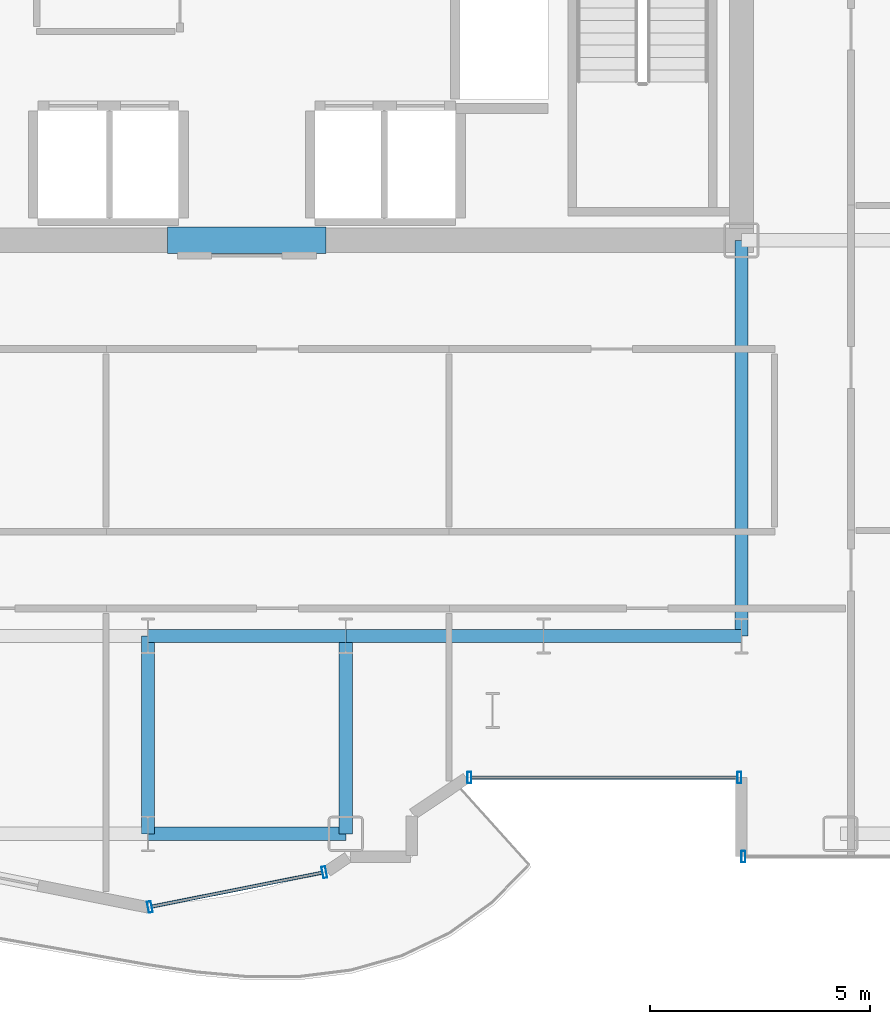
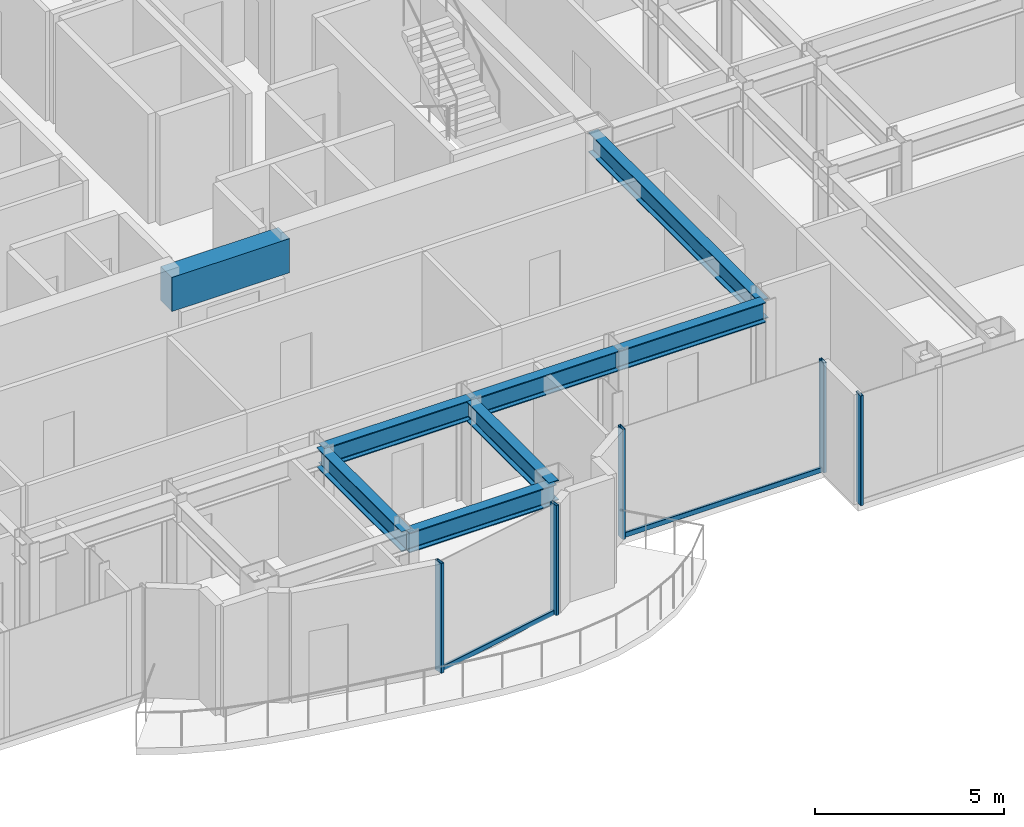
# One storey, part 9 of 25: 8 beams, 7 members, 3 elements without a shape of their own.
"""IFC4 building model written with IfcOpenShell, lengths in metres."""

from ifc_helpers import new_model, si_unit, direction, frame, origin, origin_2d, place, context, subcontext, project, spatial, rectangle, hollow_rectangle, i_section, extrude, source, transform, mapped, material, layer, layer_set, material_profile, profile_set, type_object, element, aggregate, save


model = new_model("IFC4")

# Units and contexts
model_context = context("Model", 3, precision=1e-05, world=origin(), true_north=direction((0.0, 1.0)))
body_context = subcontext(model_context, "Body", "Model", "MODEL_VIEW")
ifc_project = project(units=[si_unit("LENGTHUNIT", "METRE"), si_unit("AREAUNIT", "SQUARE_METRE"), si_unit("VOLUMEUNIT", "CUBIC_METRE"), si_unit("PLANEANGLEUNIT", "RADIAN"), si_unit("MASSUNIT", "GRAM", prefix="KILO")], contexts=[model_context])

# Site, building, storey
site_placement = place(None, origin())
site = spatial("IfcSite", under=ifc_project, at=site_placement, CompositionType="ELEMENT")
building_placement = place(site_placement, origin())
building = spatial("IfcBuilding", under=site, at=building_placement, Name="Nefas-Gora Pilgrimage Tower", CompositionType="ELEMENT")
storey_placement = place(building_placement, frame((0.0, 0.0, 194.39990234375)))
storey = spatial("IfcBuildingStorey", under=building, at=storey_placement, Name="L48", CompositionType="ELEMENT", Elevation=194.39990234375)

# Beams
ifc_material_1 = material(Name="Concrete C60/75", Category="concrete")
ifc_material_profile_1 = material_profile(ifc_material_1, rectangle(XDim=0.60009765625, YDim=1.10009765625, at=origin_2d()), Name="RC 600x1100")
ifc_profile_set_1 = profile_set([ifc_material_profile_1], Name="Concrete C60/75")
beam_type_1 = type_object("IfcBeamType", Name="BM-LIN-RC1100", PredefinedType="LINTEL", material=ifc_profile_set_1)
shared_shape_1 = source(origin(), body_context, "Body", "SweptSolid", [
    extrude(rectangle(XDim=0.60009765625, YDim=1.10009765625, at=origin_2d()), origin(), (0.0, 0.0, 1.0), 3.60009765625),
])
beam_1_placement = place(storey_placement, frame((-1.800048828125, -9.0, 3.0), z_axis=(1.0, 0.0, 0.0), x_axis=(0.0, 1.0, 0.0)))
element("IfcBeam", 1, at=beam_1_placement, inside=storey, type_object=beam_type_1, Name="L48 Core Coupling Lintel Beam S", PredefinedType="LINTEL", context=body_context, shape_type="MappedRepresentation", body=[
    mapped(shared_shape_1, transform((0.0, 0.0, 0.0), x_axis=(1.0, 0.0, 0.0), y_axis=(0.0, 1.0, 0.0), z_axis=(0.0, 0.0, 1.0), scale=1.0)),
])
ifc_material_2 = material(Name="Steel S355", Category="steel")
ifc_material_profile_2 = material_profile(ifc_material_2, i_section(OverallWidth=0.300048828125, OverallDepth=0.64990234375, WebThickness=0.01611328125, FlangeThickness=0.031005859375, FilletRadius=0.027099609375, at=origin_2d()), Name="HEB 650")
ifc_profile_set_2 = profile_set([ifc_material_profile_2], Name="Steel S355")
beam_type_2 = type_object("IfcBeamType", Name="BM-GIR-HEB650", PredefinedType="BEAM", material=ifc_profile_set_2)
shared_shape_2 = source(origin(), body_context, "Body", "SweptSolid", [
    extrude(i_section(OverallWidth=0.300048828125, OverallDepth=0.64990234375, WebThickness=0.01611328125, FlangeThickness=0.031005859375, FilletRadius=0.027099609375, at=origin_2d()), origin(), (0.0, 0.0, 1.0), 9.0),
])
beam_2_placement = place(storey_placement, frame((11.25, -18.0, 3.22509765625), z_axis=(0.0, 1.0, 0.0), x_axis=(-1.0, 0.0, 0.0)))
element("IfcBeam", 2, at=beam_2_placement, inside=storey, type_object=beam_type_2, Name="L48 G-03 beam", PredefinedType="BEAM", context=body_context, shape_type="MappedRepresentation", body=[
    mapped(shared_shape_2, transform((0.0, 0.0, 0.0), x_axis=(1.0, 0.0, 0.0), y_axis=(0.0, 1.0, 0.0), z_axis=(0.0, 0.0, 1.0), scale=1.0)),
])
shared_shape_3 = source(origin(), body_context, "Body", "SweptSolid", [
    extrude(i_section(OverallWidth=0.300048828125, OverallDepth=0.64990234375, WebThickness=0.01611328125, FlangeThickness=0.031005859375, FilletRadius=0.027099609375, at=origin_2d()), origin(), (0.0, 0.0, 1.0), 4.5),
])
for number, where, z_axis, x_axis, name in (
    (3, (-2.25, -22.5, 3.22509765625), (0.0, 1.0, 0.0), (-1.0, 0.0, 0.0), "L48 G-03 beam"),
    (4, (-2.25, -22.5, 3.22509765625), (1.0, 0.0, 0.0), (0.0, 1.0, 0.0), "L48 G-03 beam"),
    (5, (-2.25, -18.0, 3.22509765625), (1.0, 0.0, 0.0), (0.0, 1.0, 0.0), "L48 G-03 beam"),
    (6, (2.25, -22.5, 3.22509765625), (0.0, 1.0, 0.0), (-1.0, 0.0, 0.0), "L48 G-03 beam"),
    (7, (2.25, -18.0, 3.22509765625), (1.0, 0.0, 0.0), (0.0, 1.0, 0.0), "L48 G-03 beam"),
    (8, (6.75, -18.0, 3.22509765625), (1.0, 0.0, 0.0), (0.0, 1.0, 0.0), "L48 G-03 beam"),
):
    element("IfcBeam", number, at=place(storey_placement, frame(where, z_axis=z_axis, x_axis=x_axis)), inside=storey, type_object=beam_type_2, Name=name, PredefinedType="BEAM", context=body_context, shape_type="MappedRepresentation", body=[
        mapped(shared_shape_3, transform((0.0, 0.0, 0.0), x_axis=(1.0, 0.0, 0.0), y_axis=(0.0, 1.0, 0.0), z_axis=(0.0, 0.0, 1.0), scale=1.0)),
    ])

# Curtain wall, members
ifc_material_3 = material(Name="Dark ceramic-fritted solar-control aluminium-glass curtain wall", Category="aluminium")
ifc_layer_1 = layer(ifc_material_3, 0.219970703125)
ifc_layer_set_1 = layer_set([ifc_layer_1], Name="Dark ceramic-fritted solar-control aluminium-glass curtain wall")
curtain_wall_type_1 = type_object("IfcCurtainWallType", Name="CW-SYS-5", PredefinedType="NOTDEFINED", material=ifc_layer_set_1)
curtain_wall_1_placement = place(storey_placement, origin())
curtain_wall_1 = element("IfcCurtainWall", 9, at=curtain_wall_1_placement, inside=storey, type_object=curtain_wall_type_1, Name="L48 Unitised Curtain Wall CW5", PredefinedType="NOTDEFINED")
ifc_material_4 = material(Name="Anodised architectural aluminium", Category="aluminium")
ifc_material_profile_3 = material_profile(ifc_material_4, hollow_rectangle(XDim=0.090087890625, YDim=0.260009765625, WallThickness=0.006103515625, InnerFilletRadius=0.006103515625, OuterFilletRadius=0.011962890625, at=origin_2d()), Name="ALU MULLION 90x260")
ifc_profile_set_3 = profile_set([ifc_material_profile_3], Name="Anodised architectural aluminium")
member_type_1 = type_object("IfcMemberType", Name="CWM-MUL-5", PredefinedType="MULLION", material=ifc_profile_set_3)
shared_shape_4 = source(origin(), body_context, "Body", "SweptSolid", [
    extrude(hollow_rectangle(XDim=0.090087890625, YDim=0.260009765625, WallThickness=0.006103515625, InnerFilletRadius=0.006103515625, OuterFilletRadius=0.011962890625, at=origin_2d()), origin(), (0.0, 0.0, 1.0), 3.550048828125),
])
member_1_placement = place(storey_placement, frame((5.06298828125, -21.219970703125, 0.0), z_axis=(0.0, 0.0, 1.0), x_axis=(1.0, 0.0, 0.0)))
member_1 = element("IfcMember", 10, at=member_1_placement, type_object=member_type_1, Name="CW5 Mullion 1", PredefinedType="MULLION", context=body_context, shape_type="MappedRepresentation", body=[
    mapped(shared_shape_4, transform((0.0, 0.0, 0.0), x_axis=(1.0, 0.0, 0.0), y_axis=(0.0, 1.0, 0.0), z_axis=(0.0, 0.0, 1.0), scale=1.0)),
])
member_2_placement = place(storey_placement, frame((11.205078125, -21.219970703125, 0.0), z_axis=(0.0, 0.0, 1.0), x_axis=(1.0, 0.0, 0.0)))
member_2 = element("IfcMember", 11, at=member_2_placement, type_object=member_type_1, Name="CW5 Mullion 2", PredefinedType="MULLION", context=body_context, shape_type="MappedRepresentation", body=[
    mapped(shared_shape_4, transform((0.0, 0.0, 0.0), x_axis=(1.0, 0.0, 0.0), y_axis=(0.0, 1.0, 0.0), z_axis=(0.0, 0.0, 1.0), scale=1.0)),
])

curtain_wall_2_placement = place(storey_placement, origin())
curtain_wall_2 = element("IfcCurtainWall", 12, at=curtain_wall_2_placement, inside=storey, type_object=curtain_wall_type_1, Name="L48 Unitised Curtain Wall CW5", PredefinedType="NOTDEFINED")
member_3_placement = place(storey_placement, frame((-2.205810546875, -24.16357421875, 0.0), z_axis=(0.0, 0.0, 1.0), x_axis=(0.980782896852, 0.195102304554, 0.0)))
member_3 = element("IfcMember", 13, at=member_3_placement, type_object=member_type_1, Name="CW5 Mullion 1", PredefinedType="MULLION", context=body_context, shape_type="MappedRepresentation", body=[
    mapped(shared_shape_4, transform((0.0, 0.0, 0.0), x_axis=(1.0, 0.0, 0.0), y_axis=(0.0, 1.0, 0.0), z_axis=(0.0, 0.0, 1.0), scale=1.0)),
])
member_4_placement = place(storey_placement, frame((1.76318359375, -23.3740234375, 0.0), z_axis=(0.0, 0.0, 1.0), x_axis=(0.980782896852, 0.195102304554, 0.0)))
member_4 = element("IfcMember", 14, at=member_4_placement, type_object=member_type_1, Name="CW5 Mullion 2", PredefinedType="MULLION", context=body_context, shape_type="MappedRepresentation", body=[
    mapped(shared_shape_4, transform((0.0, 0.0, 0.0), x_axis=(1.0, 0.0, 0.0), y_axis=(0.0, 1.0, 0.0), z_axis=(0.0, 0.0, 1.0), scale=1.0)),
])

# Member
ifc_material_profile_4 = material_profile(ifc_material_4, hollow_rectangle(XDim=0.080078125, YDim=0.159912109375, WallThickness=0.00439453125, InnerFilletRadius=0.00439453125, OuterFilletRadius=0.009033203125, at=origin_2d()), Name="ALU TRANSOM 80x160")
ifc_profile_set_4 = profile_set([ifc_material_profile_4], Name="Anodised architectural aluminium")
member_type_2 = type_object("IfcMemberType", Name="CWM-TRN-5", PredefinedType="USERDEFINED", material=ifc_profile_set_4)
shared_shape_5 = source(origin(), body_context, "Body", "SweptSolid", [
    extrude(hollow_rectangle(XDim=0.080078125, YDim=0.159912109375, WallThickness=0.00439453125, InnerFilletRadius=0.00439453125, OuterFilletRadius=0.009033203125, at=origin_2d()), origin(), (0.0, 0.0, 1.0), 6.052001953125),
])
member_5_placement = place(storey_placement, frame((5.10791015625, -21.219970703125, 0.050048828125), z_axis=(1.0, 0.0, 0.0), x_axis=(0.0, 1.0, 0.0)))
member_5 = element("IfcMember", 15, at=member_5_placement, type_object=member_type_2, Name="CW5 Spandrel Transom", ObjectType="TRANSOM", PredefinedType="USERDEFINED", context=body_context, shape_type="MappedRepresentation", body=[
    mapped(shared_shape_5, transform((0.0, 0.0, 0.0), x_axis=(1.0, 0.0, 0.0), y_axis=(0.0, 1.0, 0.0), z_axis=(0.0, 0.0, 1.0), scale=1.0)),
])

aggregate(curtain_wall_1, [member_1, member_2, member_5])

shared_shape_6 = source(origin(), body_context, "Body", "SweptSolid", [
    extrude(hollow_rectangle(XDim=0.080078125, YDim=0.159912109375, WallThickness=0.00439453125, InnerFilletRadius=0.00439453125, OuterFilletRadius=0.009033203125, at=origin_2d()), origin(), (0.0, 0.0, 1.0), 3.95654296875),
])
member_6_placement = place(storey_placement, frame((-2.16162109375, -24.15478515625, 0.050048828125), z_axis=(0.980781880918, 0.195107411605, 0.0), x_axis=(-0.195107411605, 0.980781880918, 0.0)))
member_6 = element("IfcMember", 16, at=member_6_placement, type_object=member_type_2, Name="CW5 Spandrel Transom", ObjectType="TRANSOM", PredefinedType="USERDEFINED", context=body_context, shape_type="MappedRepresentation", body=[
    mapped(shared_shape_6, transform((0.0, 0.0, 0.0), x_axis=(1.0, 0.0, 0.0), y_axis=(0.0, 1.0, 0.0), z_axis=(0.0, 0.0, 1.0), scale=1.0)),
])

aggregate(curtain_wall_2, [member_3, member_4, member_6])

# Curtain wall, member
ifc_layer_2 = layer(ifc_material_3, 0.219970703125)
ifc_layer_set_2 = layer_set([ifc_layer_2], Name="Dark ceramic-fritted solar-control aluminium-glass curtain wall")
curtain_wall_type_2 = type_object("IfcCurtainWallType", Name="CW-SYS-3", PredefinedType="NOTDEFINED", material=ifc_layer_set_2)
curtain_wall_3_placement = place(storey_placement, origin())
curtain_wall_3 = element("IfcCurtainWall", 17, at=curtain_wall_3_placement, inside=storey, type_object=curtain_wall_type_2, Name="L48 Unitised Curtain Wall CW3", PredefinedType="NOTDEFINED")
ifc_material_profile_5 = material_profile(ifc_material_4, hollow_rectangle(XDim=0.090087890625, YDim=0.260009765625, WallThickness=0.006103515625, InnerFilletRadius=0.006103515625, OuterFilletRadius=0.011962890625, at=origin_2d()), Name="ALU MULLION 90x260")
ifc_profile_set_5 = profile_set([ifc_material_profile_5], Name="Anodised architectural aluminium")
member_type_3 = type_object("IfcMemberType", Name="CWM-MUL-3", PredefinedType="MULLION", material=ifc_profile_set_5)
shared_shape_7 = source(origin(), body_context, "Body", "SweptSolid", [
    extrude(hollow_rectangle(XDim=0.090087890625, YDim=0.260009765625, WallThickness=0.006103515625, InnerFilletRadius=0.006103515625, OuterFilletRadius=0.011962890625, at=origin_2d()), origin(), (0.0, 0.0, 1.0), 3.550048828125),
])
member_7_placement = place(storey_placement, frame((11.294921875, -23.02001953125, 0.0), z_axis=(0.0, 0.0, 1.0), x_axis=(1.0, 0.0, 0.0)))
member_7 = element("IfcMember", 18, at=member_7_placement, type_object=member_type_3, Name="CW3 Mullion 1", PredefinedType="MULLION", context=body_context, shape_type="MappedRepresentation", body=[
    mapped(shared_shape_7, transform((0.0, 0.0, 0.0), x_axis=(1.0, 0.0, 0.0), y_axis=(0.0, 1.0, 0.0), z_axis=(0.0, 0.0, 1.0), scale=1.0)),
])
aggregate(curtain_wall_3, [member_7])

save(model, "model.ifc")
